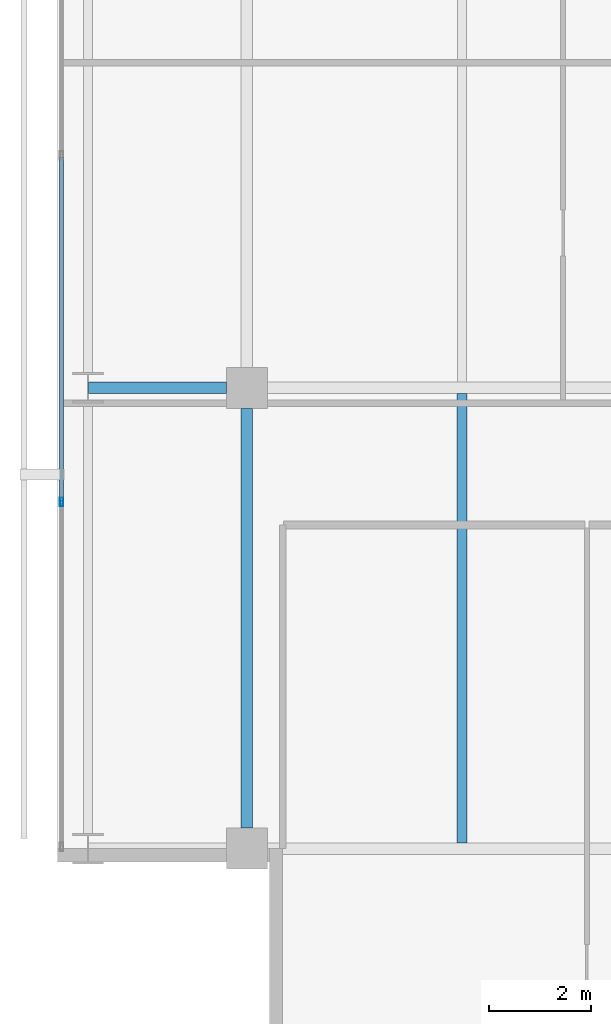
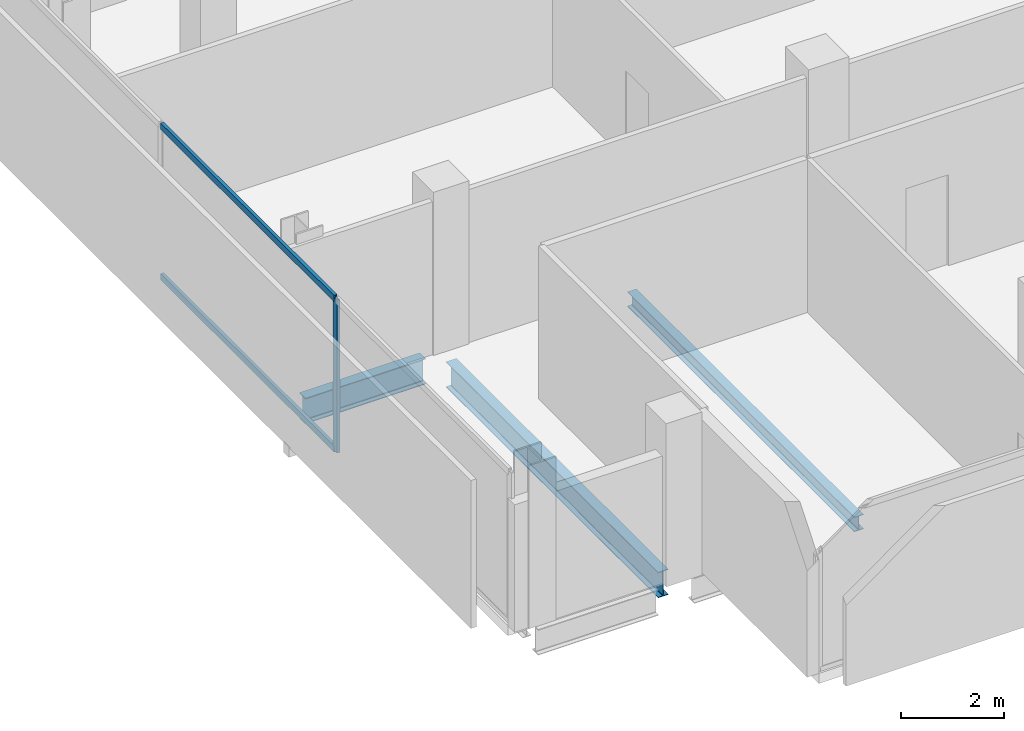
# One storey, part 4 of 32: 3 beams, 3 members, 1 element without a shape of its own.
"""IFC4 building model written with IfcOpenShell, lengths in metres."""

from ifc_helpers import new_model, si_unit, direction, frame, origin, origin_2d, place, context, subcontext, project, spatial, hollow_rectangle, i_section, extrude, material, layer, layer_set, material_profile, profile_set, type_object, element, aggregate, save


model = new_model("IFC4")

# Units and contexts
model_context = context("Model", 3, precision=1e-05, world=origin(), true_north=direction((0.0, 1.0)))
body_context = subcontext(model_context, "Body", "Model", "MODEL_VIEW")
ifc_project = project(units=[si_unit("LENGTHUNIT", "METRE"), si_unit("AREAUNIT", "SQUARE_METRE"), si_unit("VOLUMEUNIT", "CUBIC_METRE"), si_unit("PLANEANGLEUNIT", "RADIAN"), si_unit("MASSUNIT", "GRAM", prefix="KILO")], contexts=[model_context])

# Site, building, storey
site_placement = place(None, origin())
site = spatial("IfcSite", under=ifc_project, at=site_placement, CompositionType="ELEMENT")
building_placement = place(site_placement, origin())
building = spatial("IfcBuilding", under=site, at=building_placement, Name="Maruvema Waterfront Hotel and Observation Tower", CompositionType="ELEMENT")
storey_placement = place(building_placement, frame((0.0, 0.0, 165.89990234375)))
storey = spatial("IfcBuildingStorey", under=building, at=storey_placement, Name="L40", CompositionType="ELEMENT", Elevation=165.89990234375)

# Curtain wall, members
ifc_material_1 = material(Name="Anodised bronze aluminium and solar-control low-E IGU", Category="aluminium")
ifc_layer = layer(ifc_material_1, 0.159912109375, Name="Zone 2 Amber Inner Thermal Curtain Wall System CW-03")
ifc_layer_set = layer_set([ifc_layer], Name="Anodised bronze aluminium and solar-control low-E IGU")
curtain_wall_type = type_object("IfcCurtainWallType", Name="Zone 2 Amber Inner Thermal Curtain Wall System CW-03", PredefinedType="USERDEFINED", material=ifc_layer_set)
curtain_wall_placement = place(storey_placement, origin())
curtain_wall = element("IfcCurtainWall", 1, at=curtain_wall_placement, inside=storey, type_object=curtain_wall_type, Name="L40 Curtain Wall CW-L40-W", ObjectType="UNITISED CURTAIN WALL", PredefinedType="USERDEFINED")
ifc_material_2 = material(Name="Anodised architectural bronze aluminium", Category="aluminium")
ifc_material_profile_1 = material_profile(ifc_material_2, hollow_rectangle(XDim=0.070068359375, YDim=0.14990234375, WallThickness=0.00390625, at=origin_2d()), Name="ALU-T70x150")
ifc_profile_set_1 = profile_set([ifc_material_profile_1], Name="Anodised architectural bronze aluminium")
member_type_1 = type_object("IfcMemberType", Name="Curtain Wall Horizontal Transom ALU-T70x150", PredefinedType="USERDEFINED", material=ifc_profile_set_1)
member_1_placement = place(storey_placement, frame((13.179931640625, 22.50341796875, 0.030029296875), z_axis=(0.0, -1.0, 0.0), x_axis=(1.0, 0.0, 0.0)))
member_1 = element("IfcMember", 2, at=member_1_placement, type_object=member_type_1, Name="CW-03 transom 5.1", ObjectType="TRANSOM", PredefinedType="USERDEFINED", context=body_context, shape_type="SweptSolid", body=[
    extrude(hollow_rectangle(XDim=0.070068359375, YDim=0.14990234375, WallThickness=0.00390625, at=origin_2d()), origin(), (0.0, 0.0, 1.0), 6.706787109375),
])
member_2_placement = place(storey_placement, frame((13.179931640625, 22.50341796875, 3.580078125), z_axis=(0.0, -1.0, 0.0), x_axis=(1.0, 0.0, 0.0)))
member_2 = element("IfcMember", 3, at=member_2_placement, type_object=member_type_1, Name="CW-03 transom 5.2", ObjectType="TRANSOM", PredefinedType="USERDEFINED", context=body_context, shape_type="SweptSolid", body=[
    extrude(hollow_rectangle(XDim=0.070068359375, YDim=0.14990234375, WallThickness=0.00390625, at=origin_2d()), origin(), (0.0, 0.0, 1.0), 6.706787109375),
])
ifc_material_3 = material(Name="Anodised architectural bronze aluminium", Category="aluminium")
ifc_material_profile_2 = material_profile(ifc_material_3, hollow_rectangle(XDim=0.06494140625, YDim=0.1650390625, WallThickness=0.00390625, at=origin_2d()), Name="ALU-M65x165")
ifc_profile_set_2 = profile_set([ifc_material_profile_2], Name="Anodised architectural bronze aluminium")
member_type_2 = type_object("IfcMemberType", Name="Curtain Wall Primary Mullion ALU-M65x165", PredefinedType="MULLION", material=ifc_profile_set_2)
member_3_placement = place(storey_placement, frame((13.179931640625, 15.7666015625, 0.0), z_axis=(0.0, 0.0, 1.0), x_axis=(1.0, 0.0, 0.0)))
member_3 = element("IfcMember", 4, at=member_3_placement, type_object=member_type_2, Name="CW-03 mullion 6", PredefinedType="MULLION", context=body_context, shape_type="SweptSolid", body=[
    extrude(hollow_rectangle(XDim=0.06494140625, YDim=0.1650390625, WallThickness=0.00390625, at=origin_2d()), origin(), (0.0, 0.0, 1.0), 3.610107421875),
])
aggregate(curtain_wall, [member_3, member_1, member_2])

# Beams
ifc_material_4 = material(Name="Steel ASTM A572 Grade 50", Category="steel")
ifc_material_profile_3 = material_profile(ifc_material_4, i_section(OverallWidth=0.22802734375, OverallDepth=0.60302734375, WebThickness=0.010498046875, FlangeThickness=0.014892578125, FilletRadius=0.01806640625, at=origin_2d()), Name="W610x101.0")
ifc_profile_set_3 = profile_set([ifc_material_profile_3], Name="Steel ASTM A572 Grade 50")
beam_type_1 = type_object("IfcBeamType", Name="Primary Floor Girder W610x101.0", PredefinedType="BEAM", material=ifc_profile_set_3)
beam_1_placement = place(storey_placement, frame((13.71240234375, 18.0, -0.54150390625), z_axis=(1.0, 0.0, 0.0), x_axis=(0.0, 1.0, 0.0)))
element("IfcBeam", 5, at=beam_1_placement, inside=storey, type_object=beam_type_1, Name="L40 Floor Girder EW-11", PredefinedType="BEAM", context=body_context, shape_type="SweptSolid", body=[
    extrude(i_section(OverallWidth=0.22802734375, OverallDepth=0.60302734375, WebThickness=0.010498046875, FlangeThickness=0.014892578125, FilletRadius=0.01806640625, at=origin_2d()), origin(), (0.0, 0.0, 1.0), 2.6875),
])
beam_2_placement = place(storey_placement, frame((16.800048828125, 9.39990234375, -0.54150390625), z_axis=(0.0, 1.0, 0.0), x_axis=(-1.0, 0.0, 0.0)))
element("IfcBeam", 6, at=beam_2_placement, inside=storey, type_object=beam_type_1, Name="L40 Floor Girder NS-05", PredefinedType="BEAM", context=body_context, shape_type="SweptSolid", body=[
    extrude(i_section(OverallWidth=0.22802734375, OverallDepth=0.60302734375, WebThickness=0.010498046875, FlangeThickness=0.014892578125, FilletRadius=0.01806640625, at=origin_2d()), origin(), (0.0, 0.0, 1.0), 8.2001953125),
])
ifc_material_5 = material(Name="Steel ASTM A572 Grade 50", Category="steel")
ifc_material_profile_4 = material_profile(ifc_material_5, i_section(OverallWidth=0.202880859375, OverallDepth=0.346923828125, WebThickness=0.0078125, FlangeThickness=0.013427734375, FilletRadius=0.014892578125, at=origin_2d()), Name="W360x64.0")
ifc_profile_set_4 = profile_set([ifc_material_profile_4], Name="Steel ASTM A572 Grade 50")
beam_type_2 = type_object("IfcBeamType", Name="Secondary Floor Joist W360x64.0", PredefinedType="JOIST", material=ifc_profile_set_4)
beam_3_placement = place(storey_placement, frame((21.0, 9.114013671875, -0.413330078125), z_axis=(0.0, 1.0, 0.0), x_axis=(-1.0, 0.0, 0.0)))
element("IfcBeam", 7, at=beam_3_placement, inside=storey, type_object=beam_type_2, Name="L40 Secondary Floor Joist JS-01", PredefinedType="JOIST", context=body_context, shape_type="SweptSolid", body=[
    extrude(i_section(OverallWidth=0.202880859375, OverallDepth=0.346923828125, WebThickness=0.0078125, FlangeThickness=0.013427734375, FilletRadius=0.014892578125, at=origin_2d()), origin(), (0.0, 0.0, 1.0), 8.77197265625),
])

save(model, "model.ifc")
